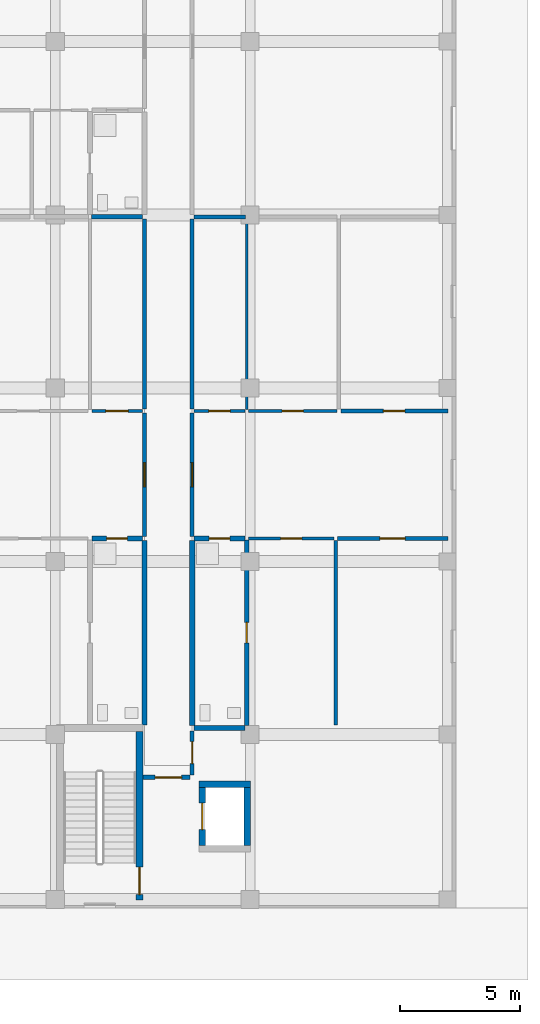
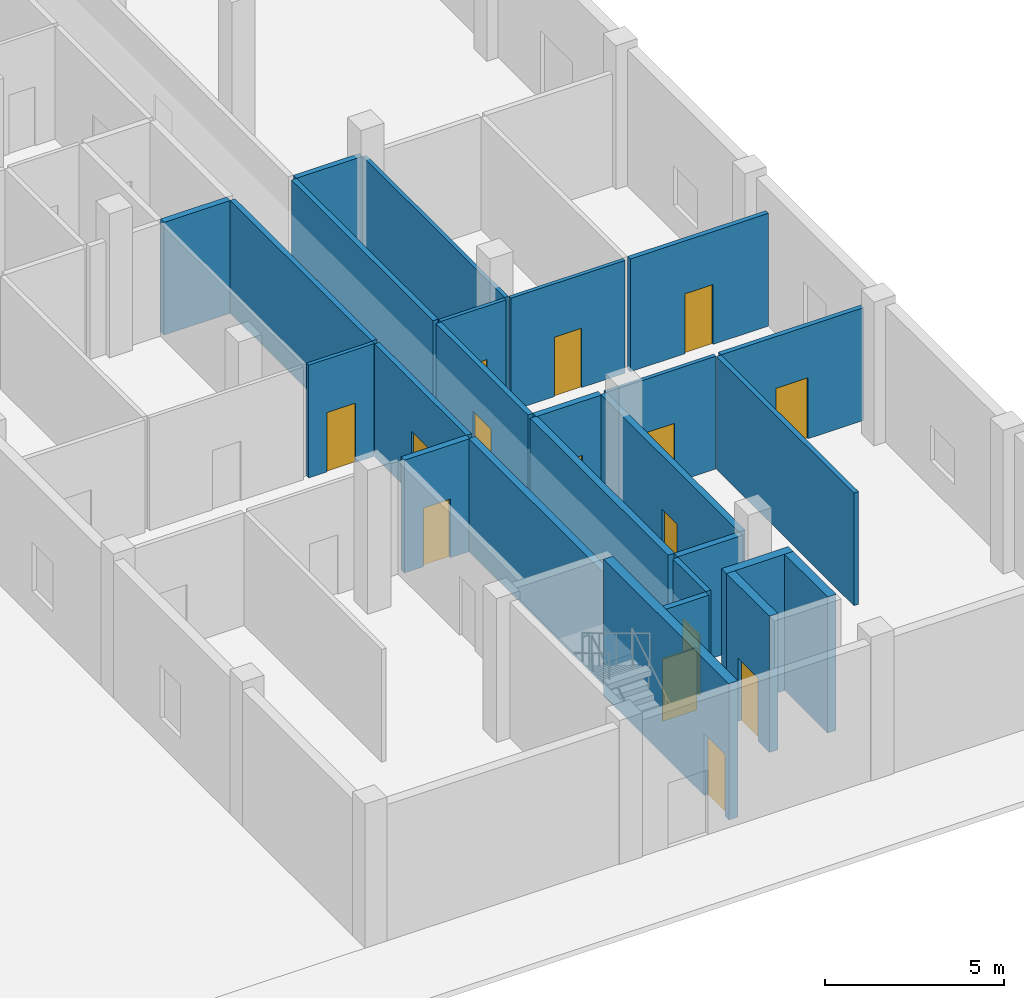
# One storey, part 49 of 85: 26 walls, 15 doors, 15 openings.
"""IFC4 building model written with IfcOpenShell, lengths in metres."""

from ifc_helpers import new_model, si_unit, derived_unit, direction, frame, frame_2d, origin, place, context, subcontext, project, spatial, rectangle, extrude, material, layer, layer_set, type_object, element, fill, save


model = new_model("IFC4")

# Units and contexts
model_context = context("Model", 3, precision=1e-05, world=origin(), true_north=direction((0.0, 1.0)))
body_context = subcontext(model_context, "Body", "Model", "MODEL_VIEW")
ifc_project = project(units=[si_unit("LENGTHUNIT", "METRE"), si_unit("AREAUNIT", "SQUARE_METRE"), si_unit("VOLUMEUNIT", "CUBIC_METRE"), si_unit("PLANEANGLEUNIT", "RADIAN"), si_unit("MASSUNIT", "GRAM", prefix="KILO"), derived_unit("THERMALTRANSMITTANCEUNIT", [(si_unit("MASSUNIT", "GRAM", prefix="KILO"), 1), (si_unit("TIMEUNIT", "SECOND"), -3), (si_unit("THERMODYNAMICTEMPERATUREUNIT", "KELVIN"), -1)])], contexts=[model_context])

# Site, building, storey
site_placement = place(None, origin())
site = spatial("IfcSite", under=ifc_project, at=site_placement, CompositionType="ELEMENT")
building_placement = place(site_placement, origin())
building = spatial("IfcBuilding", under=site, at=building_placement, Name="Ochrekiln Boulevard Commons", CompositionType="ELEMENT")
storey_placement = place(building_placement, origin())
storey = spatial("IfcBuildingStorey", under=building, at=storey_placement, Name="L00", CompositionType="ELEMENT", Elevation=0.0)

# Wall
ifc_material_1 = material(Name="Moisture-resistant cementitious tile backer wall")
ifc_layer_1 = layer(ifc_material_1, 0.199951171875)
ifc_layer_set_1 = layer_set([ifc_layer_1], Name="Moisture-resistant cementitious tile backer wall")
wall_type_1 = type_object("IfcWallType", Name="WL-PLM-200", PredefinedType="PLUMBINGWALL", material=ifc_layer_set_1)
wall_1_placement = place(storey_placement, frame((161.923095703125, 7.47509765625, 0.0), z_axis=(0.0, 0.0, 1.0), x_axis=(1.0, 0.0, 0.0)))
element("IfcWall", 1, at=wall_1_placement, inside=storey, type_object=wall_type_1, Name="L00 Interior Wall W-PW200", PredefinedType="PLUMBINGWALL", context=body_context, shape_type="SweptSolid", body=[
    extrude(rectangle(XDim=2.10693359375, YDim=0.199951171875, at=frame_2d((1.053466796875, 0.0))), origin(), (0.0, 0.0, 1.0), 3.840087890625),
])

# Wall, opening, door
wall_2_placement = place(storey_placement, frame((157.669921875, 15.35009765625, 0.0), z_axis=(0.0, 0.0, 1.0), x_axis=(1.0, 0.0, 0.0)))
wall_2 = element("IfcWall", 2, at=wall_2_placement, inside=storey, type_object=wall_type_1, Name="L00 Interior Wall W-PW200", PredefinedType="PLUMBINGWALL", context=body_context, shape_type="SweptSolid", body=[
    extrude(rectangle(XDim=2.108154296875, YDim=0.199951171875, at=frame_2d((1.05419921875, 0.0))), origin(), (0.0, 0.0, 1.0), 3.840087890625),
])
opening_1_placement = place(wall_2_placement, frame((0.6201171875, 0.0, 0.0)))
opening_1 = element("IfcOpeningElement", 3, at=opening_1_placement, cuts=wall_2, Name="Opening D-L00-059", PredefinedType="OPENING", context=body_context, shape_type="SweptSolid", body=[
    extrude(rectangle(XDim=0.860107421875, YDim=2.0, at=frame_2d((0.43017578125, 1.0))), frame((0.0, 0.10986328125, 0.0), z_axis=(0.0, -1.0, 0.0), x_axis=(1.0, 0.0, 0.0)), (0.0, 0.0, 1.0), 0.219970703125),
])
ifc_material_2 = material(Name="Solid core architectural oak door leaf")
door_type_1 = type_object("IfcDoorType", Name="DR-INT-BTH-086", OperationType="NOTDEFINED", PredefinedType="DOOR", material=ifc_material_2)
door_1_placement = place(opening_1_placement, frame((0.860107421875, 0.0, 0.0), z_axis=(0.0, 0.0, 1.0), x_axis=(-1.0, 0.0, 0.0)))
door_1 = element("IfcDoor", 4, at=door_1_placement, inside=storey, type_object=door_type_1, Name="L00 Interior Door to Accessible Apartment Bathroom", OperationType="SINGLE_SWING_LEFT", OverallHeight=2.0, OverallWidth=0.860107421875, PredefinedType="DOOR", context=body_context, shape_type="SweptSolid", body=[
    extrude(rectangle(XDim=0.860107421875, YDim=2.0, at=frame_2d((0.43017578125, 1.0))), frame((0.0, 0.02490234375, 0.0), z_axis=(0.0, -1.0, 0.0), x_axis=(1.0, 0.0, 0.0)), (0.0, 0.0, 1.0), 0.050048828125),
])
fill(opening_1, door_1)

# Wall
wall_3_placement = place(storey_placement, frame((157.64990234375, 28.719970703125, 0.0), z_axis=(0.0, 0.0, 1.0), x_axis=(1.0, 0.0, 0.0)))
element("IfcWall", 5, at=wall_3_placement, inside=storey, type_object=wall_type_1, Name="L00 Interior Wall W-PW200", PredefinedType="PLUMBINGWALL", context=body_context, shape_type="SweptSolid", body=[
    extrude(rectangle(XDim=2.128173828125, YDim=0.199951171875, at=frame_2d((1.06396484375, 0.0))), origin(), (0.0, 0.0, 1.0), 3.840087890625),
])

# Wall, opening, door
wall_4_placement = place(storey_placement, frame((161.923095703125, 15.35009765625, 0.0), z_axis=(0.0, 0.0, 1.0), x_axis=(1.0, 0.0, 0.0)))
wall_4 = element("IfcWall", 6, at=wall_4_placement, inside=storey, type_object=wall_type_1, Name="L00 Interior Wall W-PW200", PredefinedType="PLUMBINGWALL", context=body_context, shape_type="SweptSolid", body=[
    extrude(rectangle(XDim=2.10693359375, YDim=0.199951171875, at=frame_2d((1.053466796875, 0.0))), origin(), (0.0, 0.0, 1.0), 3.840087890625),
])
opening_2_placement = place(wall_4_placement, frame((0.626953125, 0.0, 0.0)))
opening_2 = element("IfcOpeningElement", 7, at=opening_2_placement, cuts=wall_4, Name="Opening D-L00-073", PredefinedType="OPENING", context=body_context, shape_type="SweptSolid", body=[
    extrude(rectangle(XDim=0.860107421875, YDim=2.0, at=frame_2d((0.43017578125, 1.0))), frame((0.0, 0.10986328125, 0.0), z_axis=(0.0, -1.0, 0.0), x_axis=(1.0, 0.0, 0.0)), (0.0, 0.0, 1.0), 0.219970703125),
])
door_2_placement = place(opening_2_placement, frame((0.860107421875, 0.0, 0.0), z_axis=(0.0, 0.0, 1.0), x_axis=(-1.0, 0.0, 0.0)))
door_2 = element("IfcDoor", 8, at=door_2_placement, inside=storey, type_object=door_type_1, Name="L00 Interior Door to Apartment Bathroom", OperationType="SINGLE_SWING_LEFT", OverallHeight=2.0, OverallWidth=0.860107421875, PredefinedType="DOOR", context=body_context, shape_type="SweptSolid", body=[
    extrude(rectangle(XDim=0.860107421875, YDim=2.0, at=frame_2d((0.43017578125, 1.0))), frame((0.0, 0.02490234375, 0.0), z_axis=(0.0, -1.0, 0.0), x_axis=(1.0, 0.0, 0.0)), (0.0, 0.0, 1.0), 0.050048828125),
])
fill(opening_2, door_2)

wall_5_placement = place(storey_placement, frame((164.110107421875, 7.574951171875, 0.0), z_axis=(0.0, 0.0, 1.0), x_axis=(0.0, 1.0, 0.0)))
wall_5 = element("IfcWall", 9, at=wall_5_placement, inside=storey, type_object=wall_type_1, Name="L00 Interior Wall W-PW200", PredefinedType="PLUMBINGWALL", context=body_context, shape_type="SweptSolid", body=[
    extrude(rectangle(XDim=7.715087890625, YDim=0.199951171875, at=frame_2d((3.857421875, 0.0))), origin(), (0.0, 0.0, 1.0), 3.840087890625),
])
opening_3_placement = place(wall_5_placement, frame((3.43505859375, 0.0, 0.0)))
opening_3 = element("IfcOpeningElement", 10, at=opening_3_placement, cuts=wall_5, Name="Opening D-L00-079", PredefinedType="OPENING", context=body_context, shape_type="SweptSolid", body=[
    extrude(rectangle(XDim=0.85009765625, YDim=2.010009765625, at=frame_2d((0.425048828125, 1.0048828125))), frame((0.0, 0.10986328125, 0.0), z_axis=(0.0, -1.0, 0.0), x_axis=(1.0, 0.0, 0.0)), (0.0, 0.0, 1.0), 0.219970703125),
])
door_type_2 = type_object("IfcDoorType", Name="DR-INT-KIT-085", OperationType="NOTDEFINED", PredefinedType="DOOR", material=ifc_material_2)
door_3_placement = place(opening_3_placement, origin())
door_3 = element("IfcDoor", 11, at=door_3_placement, inside=storey, type_object=door_type_2, Name="L00 Interior Door to Apartment Bathroom", OperationType="SINGLE_SWING_LEFT", OverallHeight=2.010009765625, OverallWidth=0.85009765625, PredefinedType="DOOR", context=body_context, shape_type="SweptSolid", body=[
    extrude(rectangle(XDim=0.85009765625, YDim=2.010009765625, at=frame_2d((0.425048828125, 1.0048828125))), frame((0.0, 0.02490234375, 0.0), z_axis=(0.0, -1.0, 0.0), x_axis=(1.0, 0.0, 0.0)), (0.0, 0.0, 1.0), 0.050048828125),
])
fill(opening_3, door_3)

# Walls
ifc_layer_2 = layer(ifc_material_1, 0.219970703125)
ifc_layer_set_2 = layer_set([ifc_layer_2], Name="Moisture-resistant cementitious tile backer wall")
wall_type_2 = type_object("IfcWallType", Name="WL-PLM-220", PredefinedType="PLUMBINGWALL", material=ifc_layer_set_2)
wall_6_placement = place(storey_placement, frame((159.860107421875, 7.60009765625, 0.0), z_axis=(0.0, 0.0, 1.0), x_axis=(0.0, 1.0, 0.0)))
element("IfcWall", 12, at=wall_6_placement, inside=storey, type_object=wall_type_2, Name="L00 Interior Wall W-PW220", PredefinedType="PLUMBINGWALL", context=body_context, shape_type="SweptSolid", body=[
    extrude(rectangle(XDim=7.669921875, YDim=0.219970703125, at=frame_2d((3.8349609375, 0.0))), origin(), (0.0, 0.0, 1.0), 3.840087890625),
])
wall_7_placement = place(storey_placement, frame((161.840087890625, 7.574951171875, 0.0), z_axis=(0.0, 0.0, 1.0), x_axis=(0.0, 1.0, 0.0)))
element("IfcWall", 13, at=wall_7_placement, inside=storey, type_object=wall_type_2, Name="L00 Interior Wall W-PW220", PredefinedType="PLUMBINGWALL", context=body_context, shape_type="SweptSolid", body=[
    extrude(rectangle(XDim=7.695068359375, YDim=0.219970703125, at=frame_2d((3.84765625, 0.0))), origin(), (0.0, 0.0, 1.0), 3.840087890625),
])
ifc_material_3 = material(Name="Fire-rated Type X gypsum board on steel studs", Category="steel")
ifc_layer_3 = layer(ifc_material_3, 0.169921875)
ifc_layer_set_3 = layer_set([ifc_layer_3], Name="Fire-rated Type X gypsum board on steel studs")
wall_type_3 = type_object("IfcWallType", Name="WL-PT-CIV-170", PredefinedType="PARTITIONING", material=ifc_layer_set_3)
wall_8_placement = place(storey_placement, frame((161.923095703125, 28.719970703125, 0.0), z_axis=(0.0, 0.0, 1.0), x_axis=(1.0, 0.0, 0.0)))
element("IfcWall", 14, at=wall_8_placement, inside=storey, type_object=wall_type_3, Name="L00 Interior Wall W-PV170", PredefinedType="PARTITIONING", context=body_context, shape_type="SweptSolid", body=[
    extrude(rectangle(XDim=2.126953125, YDim=0.169921875, at=frame_2d((1.0634765625, 0.0))), origin(), (0.0, 0.0, 1.0), 3.840087890625),
])

# Wall, opening, door
ifc_layer_4 = layer(ifc_material_3, 0.1650390625)
ifc_layer_set_4 = layer_set([ifc_layer_4], Name="Fire-rated Type X gypsum board on steel studs")
wall_type_4 = type_object("IfcWallType", Name="WL-PT-CORR-165", PredefinedType="PARTITIONING", material=ifc_layer_set_4)
wall_9_placement = place(storey_placement, frame((161.840087890625, 5.514892578125, 0.0), z_axis=(0.0, 0.0, 1.0), x_axis=(0.0, 1.0, 0.0)))
wall_9 = element("IfcWall", 15, at=wall_9_placement, inside=storey, type_object=wall_type_4, Name="L00 Interior Wall W-PC165", PredefinedType="PARTITIONING", context=body_context, shape_type="SweptSolid", body=[
    extrude(rectangle(XDim=1.835205078125, YDim=0.1650390625, at=frame_2d((0.91748046875, 0.0))), origin(), (0.0, 0.0, 1.0), 3.840087890625),
])
opening_4_placement = place(wall_9_placement, frame((0.47509765625, 0.0, 0.0)))
opening_4 = element("IfcOpeningElement", 16, at=opening_4_placement, cuts=wall_9, Name="Opening D-L00-054", PredefinedType="OPENING", context=body_context, shape_type="SweptSolid", body=[
    extrude(rectangle(XDim=0.919921875, YDim=2.0400390625, at=frame_2d((0.4599609375, 1.02001953125))), frame((0.0, 0.092529296875, 0.0), z_axis=(0.0, -1.0, 0.0), x_axis=(1.0, 0.0, 0.0)), (0.0, 0.0, 1.0), 0.18505859375),
])
ifc_material_4 = material(Name="Hollow metal fire-rated steel door assembly", Category="steel")
door_type_3 = type_object("IfcDoorType", Name="DR-SRV-90", OperationType="NOTDEFINED", PredefinedType="DOOR", material=ifc_material_4)
door_4_placement = place(opening_4_placement, frame((0.919921875, 0.0, 0.0), z_axis=(0.0, 0.0, 1.0), x_axis=(-1.0, 0.0, 0.0)))
door_4 = element("IfcDoor", 17, at=door_4_placement, inside=storey, type_object=door_type_3, Name="L00 Interior Door to Hydronic and Electrical Riser Room", OperationType="SINGLE_SWING_RIGHT", OverallHeight=2.0400390625, OverallWidth=0.919921875, PredefinedType="DOOR", context=body_context, shape_type="SweptSolid", body=[
    extrude(rectangle(XDim=0.919921875, YDim=2.0400390625, at=frame_2d((0.4599609375, 1.02001953125))), frame((0.0, 0.02490234375, 0.0), z_axis=(0.0, -1.0, 0.0), x_axis=(1.0, 0.0, 0.0)), (0.0, 0.0, 1.0), 0.050048828125),
])
fill(opening_4, door_4)

wall_10_placement = place(storey_placement, frame((159.860107421875, 15.429931640625, 0.0), z_axis=(0.0, 0.0, 1.0), x_axis=(0.0, 1.0, 0.0)))
wall_10 = element("IfcWall", 18, at=wall_10_placement, inside=storey, type_object=wall_type_4, Name="L00 Interior Wall W-PC165", PredefinedType="PARTITIONING", context=body_context, shape_type="SweptSolid", body=[
    extrude(rectangle(XDim=5.14013671875, YDim=0.1650390625, at=frame_2d((2.570068359375, 0.0))), origin(), (0.0, 0.0, 1.0), 3.840087890625),
])
opening_5_placement = place(wall_10_placement, frame((2.06494140625, 0.0, 0.0)))
opening_5 = element("IfcOpeningElement", 19, at=opening_5_placement, cuts=wall_10, Name="Opening D-L00-055", PredefinedType="OPENING", context=body_context, shape_type="SweptSolid", body=[
    extrude(rectangle(XDim=1.010009765625, YDim=2.110107421875, at=frame_2d((0.5048828125, 1.05517578125))), frame((0.0, 0.092529296875, 0.0), z_axis=(0.0, -1.0, 0.0), x_axis=(1.0, 0.0, 0.0)), (0.0, 0.0, 1.0), 0.18505859375),
])
door_type_4 = type_object("IfcDoorType", Name="DR-INT-APT-101", OperationType="NOTDEFINED", PredefinedType="DOOR", material=ifc_material_2)
door_5_placement = place(opening_5_placement, origin())
door_5 = element("IfcDoor", 20, at=door_5_placement, inside=storey, type_object=door_type_4, Name="L00 Interior Door to Two-Bedroom Apartment Living Room", OperationType="SINGLE_SWING_LEFT", OverallHeight=2.110107421875, OverallWidth=1.010009765625, PredefinedType="DOOR", context=body_context, shape_type="SweptSolid", body=[
    extrude(rectangle(XDim=1.010009765625, YDim=2.110107421875, at=frame_2d((0.5048828125, 1.05517578125))), frame((0.0, 0.02490234375, 0.0), z_axis=(0.0, -1.0, 0.0), x_axis=(1.0, 0.0, 0.0)), (0.0, 0.0, 1.0), 0.050048828125),
])
fill(opening_5, door_5)

# Wall
wall_11_placement = place(storey_placement, frame((159.860107421875, 20.72998046875, 0.0), z_axis=(0.0, 0.0, 1.0), x_axis=(0.0, 1.0, 0.0)))
element("IfcWall", 21, at=wall_11_placement, inside=storey, type_object=wall_type_4, Name="L00 Interior Wall W-PC165", PredefinedType="PARTITIONING", context=body_context, shape_type="SweptSolid", body=[
    extrude(rectangle(XDim=7.89990234375, YDim=0.1650390625, at=frame_2d((3.949951171875, 0.0))), origin(), (0.0, 0.0, 1.0), 3.840087890625),
])

# Wall, opening, door
wall_12_placement = place(storey_placement, frame((161.840087890625, 15.429931640625, 0.0), z_axis=(0.0, 0.0, 1.0), x_axis=(0.0, 1.0, 0.0)))
wall_12 = element("IfcWall", 22, at=wall_12_placement, inside=storey, type_object=wall_type_4, Name="L00 Interior Wall W-PC165", PredefinedType="PARTITIONING", context=body_context, shape_type="SweptSolid", body=[
    extrude(rectangle(XDim=5.14013671875, YDim=0.1650390625, at=frame_2d((2.570068359375, 0.0))), origin(), (0.0, 0.0, 1.0), 3.840087890625),
])
opening_6_placement = place(wall_12_placement, frame((2.06494140625, 0.0, 0.0)))
opening_6 = element("IfcOpeningElement", 23, at=opening_6_placement, cuts=wall_12, Name="Opening D-L00-057", PredefinedType="OPENING", context=body_context, shape_type="SweptSolid", body=[
    extrude(rectangle(XDim=1.010009765625, YDim=2.110107421875, at=frame_2d((0.5048828125, 1.05517578125))), frame((0.0, 0.092529296875, 0.0), z_axis=(0.0, -1.0, 0.0), x_axis=(1.0, 0.0, 0.0)), (0.0, 0.0, 1.0), 0.18505859375),
])
door_6_placement = place(opening_6_placement, frame((1.010009765625, 0.0, 0.0), z_axis=(0.0, 0.0, 1.0), x_axis=(-1.0, 0.0, 0.0)))
door_6 = element("IfcDoor", 24, at=door_6_placement, inside=storey, type_object=door_type_4, Name="L00 Interior Door to Two-Bedroom Apartment Living Room", OperationType="SINGLE_SWING_LEFT", OverallHeight=2.110107421875, OverallWidth=1.010009765625, PredefinedType="DOOR", context=body_context, shape_type="SweptSolid", body=[
    extrude(rectangle(XDim=1.010009765625, YDim=2.110107421875, at=frame_2d((0.5048828125, 1.05517578125))), frame((0.0, 0.02490234375, 0.0), z_axis=(0.0, -1.0, 0.0), x_axis=(1.0, 0.0, 0.0)), (0.0, 0.0, 1.0), 0.050048828125),
])
fill(opening_6, door_6)

# Wall
wall_13_placement = place(storey_placement, frame((161.840087890625, 20.72998046875, 0.0), z_axis=(0.0, 0.0, 1.0), x_axis=(0.0, 1.0, 0.0)))
element("IfcWall", 25, at=wall_13_placement, inside=storey, type_object=wall_type_4, Name="L00 Interior Wall W-PC165", PredefinedType="PARTITIONING", context=body_context, shape_type="SweptSolid", body=[
    extrude(rectangle(XDim=7.89990234375, YDim=0.1650390625, at=frame_2d((3.949951171875, 0.0))), origin(), (0.0, 0.0, 1.0), 3.840087890625),
])

# Wall, opening, door
ifc_layer_5 = layer(ifc_material_3, 0.18994140625)
ifc_layer_set_5 = layer_set([ifc_layer_5], Name="Fire-rated Type X gypsum board on steel studs")
wall_type_5 = type_object("IfcWallType", Name="WL-PT-LBY-190", PredefinedType="PARTITIONING", material=ifc_layer_set_5)
wall_14_placement = place(storey_placement, frame((159.800048828125, 5.419921875, 0.0), z_axis=(0.0, 0.0, 1.0), x_axis=(1.0, 0.0, 0.0)))
wall_14 = element("IfcWall", 26, at=wall_14_placement, inside=storey, type_object=wall_type_5, Name="L00 Interior Wall W-PL190", PredefinedType="PARTITIONING", context=body_context, shape_type="SweptSolid", body=[
    extrude(rectangle(XDim=1.949951171875, YDim=0.18994140625, at=frame_2d((0.97509765625, 0.0))), origin(), (0.0, 0.0, 1.0), 3.840087890625),
])
opening_7_placement = place(wall_14_placement, frame((0.5, 0.0, 0.0)))
opening_7 = element("IfcOpeningElement", 27, at=opening_7_placement, cuts=wall_14, Name="Opening D-L00-052", PredefinedType="OPENING", context=body_context, shape_type="SweptSolid", body=[
    extrude(rectangle(XDim=1.10009765625, YDim=2.1201171875, at=frame_2d((0.550048828125, 1.06005859375))), frame((0.0, 0.10498046875, 0.0), z_axis=(0.0, -1.0, 0.0), x_axis=(1.0, 0.0, 0.0)), (0.0, 0.0, 1.0), 0.2099609375),
])
door_type_5 = type_object("IfcDoorType", Name="DR-LOBBY-60", OperationType="NOTDEFINED", PredefinedType="DOOR", material=ifc_material_4)
door_7_placement = place(opening_7_placement, frame((1.10009765625, 0.0, 0.0), z_axis=(0.0, 0.0, 1.0), x_axis=(-1.0, 0.0, 0.0)))
door_7 = element("IfcDoor", 28, at=door_7_placement, inside=storey, type_object=door_type_5, Name="L00 Interior Door to Passenger Elevator Lobby", OperationType="SINGLE_SWING_RIGHT", OverallHeight=2.1201171875, OverallWidth=1.10009765625, PredefinedType="DOOR", context=body_context, shape_type="SweptSolid", body=[
    extrude(rectangle(XDim=1.10009765625, YDim=2.1201171875, at=frame_2d((0.550048828125, 1.06005859375))), frame((0.0, 0.02490234375, 0.0), z_axis=(0.0, -1.0, 0.0), x_axis=(1.0, 0.0, 0.0)), (0.0, 0.0, 1.0), 0.050048828125),
])
fill(opening_7, door_7)

ifc_layer_6 = layer(ifc_material_3, 0.1201171875)
ifc_layer_set_6 = layer_set([ifc_layer_6], Name="Fire-rated Type X gypsum board on steel studs")
wall_type_6 = type_object("IfcWallType", Name="WL-PT-LGT-120", PredefinedType="PARTITIONING", material=ifc_layer_set_6)
wall_15_placement = place(storey_placement, frame((157.669921875, 20.64990234375, 0.0), z_axis=(0.0, 0.0, 1.0), x_axis=(1.0, 0.0, 0.0)))
wall_15 = element("IfcWall", 29, at=wall_15_placement, inside=storey, type_object=wall_type_6, Name="L00 Interior Wall W-PL120", PredefinedType="PARTITIONING", context=body_context, shape_type="SweptSolid", body=[
    extrude(rectangle(XDim=2.108154296875, YDim=0.1201171875, at=frame_2d((1.05419921875, 0.0))), origin(), (0.0, 0.0, 1.0), 3.840087890625),
])
opening_8_placement = place(wall_15_placement, frame((0.590087890625, 0.0, 0.0)))
opening_8 = element("IfcOpeningElement", 30, at=opening_8_placement, cuts=wall_15, Name="Opening D-L00-060", PredefinedType="OPENING", context=body_context, shape_type="SweptSolid", body=[
    extrude(rectangle(XDim=0.919921875, YDim=2.02001953125, at=frame_2d((0.4599609375, 1.010009765625))), frame((0.0, 0.070068359375, 0.0), z_axis=(0.0, -1.0, 0.0), x_axis=(1.0, 0.0, 0.0)), (0.0, 0.0, 1.0), 0.14013671875),
])
door_type_6 = type_object("IfcDoorType", Name="DR-INT-KIT-092", OperationType="NOTDEFINED", PredefinedType="DOOR", material=ifc_material_2)
door_8_placement = place(opening_8_placement, origin())
door_8 = element("IfcDoor", 31, at=door_8_placement, inside=storey, type_object=door_type_6, Name="L00 Interior Door to Apartment Kitchen", OperationType="SINGLE_SWING_RIGHT", OverallHeight=2.02001953125, OverallWidth=0.919921875, PredefinedType="DOOR", context=body_context, shape_type="SweptSolid", body=[
    extrude(rectangle(XDim=0.919921875, YDim=2.02001953125, at=frame_2d((0.4599609375, 1.010009765625))), frame((0.0, 0.02490234375, 0.0), z_axis=(0.0, -1.0, 0.0), x_axis=(1.0, 0.0, 0.0)), (0.0, 0.0, 1.0), 0.050048828125),
])
fill(opening_8, door_8)

wall_16_placement = place(storey_placement, frame((161.923095703125, 20.64990234375, 0.0), z_axis=(0.0, 0.0, 1.0), x_axis=(1.0, 0.0, 0.0)))
wall_16 = element("IfcWall", 32, at=wall_16_placement, inside=storey, type_object=wall_type_6, Name="L00 Interior Wall W-PL120", PredefinedType="PARTITIONING", context=body_context, shape_type="SweptSolid", body=[
    extrude(rectangle(XDim=2.10693359375, YDim=0.1201171875, at=frame_2d((1.053466796875, 0.0))), origin(), (0.0, 0.0, 1.0), 3.840087890625),
])
opening_9_placement = place(wall_16_placement, frame((0.616943359375, 0.0, 0.0)))
opening_9 = element("IfcOpeningElement", 33, at=opening_9_placement, cuts=wall_16, Name="Opening D-L00-074", PredefinedType="OPENING", context=body_context, shape_type="SweptSolid", body=[
    extrude(rectangle(XDim=0.8798828125, YDim=2.02001953125, at=frame_2d((0.43994140625, 1.010009765625))), frame((0.0, 0.070068359375, 0.0), z_axis=(0.0, -1.0, 0.0), x_axis=(1.0, 0.0, 0.0)), (0.0, 0.0, 1.0), 0.14013671875),
])
door_type_7 = type_object("IfcDoorType", Name="DR-INT-KIT-088", OperationType="NOTDEFINED", PredefinedType="DOOR", material=ifc_material_2)
door_9_placement = place(opening_9_placement, origin())
door_9 = element("IfcDoor", 34, at=door_9_placement, inside=storey, type_object=door_type_7, Name="L00 Interior Door to Apartment Kitchen", OperationType="SINGLE_SWING_RIGHT", OverallHeight=2.02001953125, OverallWidth=0.8798828125, PredefinedType="DOOR", context=body_context, shape_type="SweptSolid", body=[
    extrude(rectangle(XDim=0.8798828125, YDim=2.02001953125, at=frame_2d((0.43994140625, 1.010009765625))), frame((0.0, 0.02490234375, 0.0), z_axis=(0.0, -1.0, 0.0), x_axis=(1.0, 0.0, 0.0)), (0.0, 0.0, 1.0), 0.050048828125),
])
fill(opening_9, door_9)

wall_17_placement = place(storey_placement, frame((164.18994140625, 15.35009765625, 0.0), z_axis=(0.0, 0.0, 1.0), x_axis=(1.0, 0.0, 0.0)))
wall_17 = element("IfcWall", 35, at=wall_17_placement, inside=storey, type_object=wall_type_6, Name="L00 Interior Wall W-PL120", PredefinedType="PARTITIONING", context=body_context, shape_type="SweptSolid", body=[
    extrude(rectangle(XDim=3.537109375, YDim=0.1201171875, at=frame_2d((1.7685546875, 0.0))), origin(), (0.0, 0.0, 1.0), 3.840087890625),
])
opening_10_placement = place(wall_17_placement, frame((1.3291015625, 0.0, 0.0)))
opening_10 = element("IfcOpeningElement", 36, at=opening_10_placement, cuts=wall_17, Name="Opening D-L00-076", PredefinedType="OPENING", context=body_context, shape_type="SweptSolid", body=[
    extrude(rectangle(XDim=0.8798828125, YDim=2.02001953125, at=frame_2d((0.43994140625, 1.010009765625))), frame((0.0, 0.070068359375, 0.0), z_axis=(0.0, -1.0, 0.0), x_axis=(1.0, 0.0, 0.0)), (0.0, 0.0, 1.0), 0.14013671875),
])
door_10_placement = place(opening_10_placement, frame((0.8798828125, 0.0, 0.0), z_axis=(0.0, 0.0, 1.0), x_axis=(-1.0, 0.0, 0.0)))
door_10 = element("IfcDoor", 37, at=door_10_placement, inside=storey, type_object=door_type_7, Name="L00 Interior Door to Apartment Walk-In Wardrobe", OperationType="SINGLE_SWING_RIGHT", OverallHeight=2.02001953125, OverallWidth=0.8798828125, PredefinedType="DOOR", context=body_context, shape_type="SweptSolid", body=[
    extrude(rectangle(XDim=0.8798828125, YDim=2.02001953125, at=frame_2d((0.43994140625, 1.010009765625))), frame((0.0, 0.02490234375, 0.0), z_axis=(0.0, -1.0, 0.0), x_axis=(1.0, 0.0, 0.0)), (0.0, 0.0, 1.0), 0.050048828125),
])
fill(opening_10, door_10)

wall_18_placement = place(storey_placement, frame((164.18994140625, 20.64990234375, 0.0), z_axis=(0.0, 0.0, 1.0), x_axis=(1.0, 0.0, 0.0)))
wall_18 = element("IfcWall", 38, at=wall_18_placement, inside=storey, type_object=wall_type_6, Name="L00 Interior Wall W-PL120", PredefinedType="PARTITIONING", context=body_context, shape_type="SweptSolid", body=[
    extrude(rectangle(XDim=3.670166015625, YDim=0.1201171875, at=frame_2d((1.8349609375, 0.0))), origin(), (0.0, 0.0, 1.0), 3.840087890625),
])
opening_11_placement = place(wall_18_placement, frame((1.39501953125, 0.0, 0.0)))
opening_11 = element("IfcOpeningElement", 39, at=opening_11_placement, cuts=wall_18, Name="Opening D-L00-078", PredefinedType="OPENING", context=body_context, shape_type="SweptSolid", body=[
    extrude(rectangle(XDim=0.8798828125, YDim=2.02001953125, at=frame_2d((0.43994140625, 1.010009765625))), frame((0.0, 0.070068359375, 0.0), z_axis=(0.0, -1.0, 0.0), x_axis=(1.0, 0.0, 0.0)), (0.0, 0.0, 1.0), 0.14013671875),
])
door_11_placement = place(opening_11_placement, origin())
door_11 = element("IfcDoor", 40, at=door_11_placement, inside=storey, type_object=door_type_7, Name="L00 Interior Door to Apartment Walk-In Wardrobe", OperationType="SINGLE_SWING_RIGHT", OverallHeight=2.02001953125, OverallWidth=0.8798828125, PredefinedType="DOOR", context=body_context, shape_type="SweptSolid", body=[
    extrude(rectangle(XDim=0.8798828125, YDim=2.02001953125, at=frame_2d((0.43994140625, 1.010009765625))), frame((0.0, 0.02490234375, 0.0), z_axis=(0.0, -1.0, 0.0), x_axis=(1.0, 0.0, 0.0)), (0.0, 0.0, 1.0), 0.050048828125),
])
fill(opening_11, door_11)

# Wall
wall_19_placement = place(storey_placement, frame((164.110107421875, 20.7099609375, 0.0), z_axis=(0.0, 0.0, 1.0), x_axis=(0.0, 1.0, 0.0)))
element("IfcWall", 41, at=wall_19_placement, inside=storey, type_object=wall_type_6, Name="L00 Interior Wall W-PL120", PredefinedType="PARTITIONING", context=body_context, shape_type="SweptSolid", body=[
    extrude(rectangle(XDim=7.919921875, YDim=0.1201171875, at=frame_2d((3.9599609375, 0.0))), origin(), (0.0, 0.0, 1.0), 3.840087890625),
])

# Wall, opening, door
ifc_layer_7 = layer(ifc_material_3, 0.14990234375)
ifc_layer_set_7 = layer_set([ifc_layer_7], Name="Fire-rated Type X gypsum board on steel studs")
wall_type_7 = type_object("IfcWallType", Name="WL-PT-STD-150", PredefinedType="PARTITIONING", material=ifc_layer_set_7)
wall_20_placement = place(storey_placement, frame((167.886962890625, 15.35009765625, 0.0), z_axis=(0.0, 0.0, 1.0), x_axis=(1.0, 0.0, 0.0)))
wall_20 = element("IfcWall", 42, at=wall_20_placement, inside=storey, type_object=wall_type_7, Name="L00 Interior Wall W-PS150", PredefinedType="PARTITIONING", context=body_context, shape_type="SweptSolid", body=[
    extrude(rectangle(XDim=4.5830078125, YDim=0.14990234375, at=frame_2d((2.29150390625, 0.0))), origin(), (0.0, 0.0, 1.0), 3.840087890625),
])
opening_12_placement = place(wall_20_placement, frame((1.760986328125, 0.0, 0.0)))
opening_12 = element("IfcOpeningElement", 43, at=opening_12_placement, cuts=wall_20, Name="Opening D-L00-075", PredefinedType="OPENING", context=body_context, shape_type="SweptSolid", body=[
    extrude(rectangle(XDim=1.0400390625, YDim=2.080078125, at=frame_2d((0.52001953125, 1.0400390625))), frame((0.0, 0.0849609375, 0.0), z_axis=(0.0, -1.0, 0.0), x_axis=(1.0, 0.0, 0.0)), (0.0, 0.0, 1.0), 0.169921875),
])
door_type_8 = type_object("IfcDoorType", Name="DR-INT-BED-104", OperationType="NOTDEFINED", PredefinedType="DOOR", material=ifc_material_2)
door_12_placement = place(opening_12_placement, frame((1.0400390625, 0.0, 0.0), z_axis=(0.0, 0.0, 1.0), x_axis=(-1.0, 0.0, 0.0)))
door_12 = element("IfcDoor", 44, at=door_12_placement, inside=storey, type_object=door_type_8, Name="L00 Interior Door to Primary Apartment Bedroom", OperationType="SINGLE_SWING_LEFT", OverallHeight=2.080078125, OverallWidth=1.0400390625, PredefinedType="DOOR", context=body_context, shape_type="SweptSolid", body=[
    extrude(rectangle(XDim=1.0400390625, YDim=2.080078125, at=frame_2d((0.52001953125, 1.0400390625))), frame((0.0, 0.02490234375, 0.0), z_axis=(0.0, -1.0, 0.0), x_axis=(1.0, 0.0, 0.0)), (0.0, 0.0, 1.0), 0.050048828125),
])
fill(opening_12, door_12)

wall_21_placement = place(storey_placement, frame((168.02001953125, 20.64990234375, 0.0), z_axis=(0.0, 0.0, 1.0), x_axis=(1.0, 0.0, 0.0)))
wall_21 = element("IfcWall", 45, at=wall_21_placement, inside=storey, type_object=wall_type_7, Name="L00 Interior Wall W-PS150", PredefinedType="PARTITIONING", context=body_context, shape_type="SweptSolid", body=[
    extrude(rectangle(XDim=4.449951171875, YDim=0.14990234375, at=frame_2d((2.22509765625, 0.0))), origin(), (0.0, 0.0, 1.0), 3.840087890625),
])
opening_13_placement = place(wall_21_placement, frame((1.764892578125, 0.0, 0.0)))
opening_13 = element("IfcOpeningElement", 46, at=opening_13_placement, cuts=wall_21, Name="Opening D-L00-077", PredefinedType="OPENING", context=body_context, shape_type="SweptSolid", body=[
    extrude(rectangle(XDim=0.89990234375, YDim=2.0400390625, at=frame_2d((0.449951171875, 1.02001953125))), frame((0.0, 0.0849609375, 0.0), z_axis=(0.0, -1.0, 0.0), x_axis=(1.0, 0.0, 0.0)), (0.0, 0.0, 1.0), 0.169921875),
])
door_type_9 = type_object("IfcDoorType", Name="DR-INT-BED-090", OperationType="NOTDEFINED", PredefinedType="DOOR", material=ifc_material_2)
door_13_placement = place(opening_13_placement, origin())
door_13 = element("IfcDoor", 47, at=door_13_placement, inside=storey, type_object=door_type_9, Name="L00 Interior Door to Secondary Apartment Bedroom", OperationType="SINGLE_SWING_LEFT", OverallHeight=2.0400390625, OverallWidth=0.89990234375, PredefinedType="DOOR", context=body_context, shape_type="SweptSolid", body=[
    extrude(rectangle(XDim=0.89990234375, YDim=2.0400390625, at=frame_2d((0.449951171875, 1.02001953125))), frame((0.0, 0.02490234375, 0.0), z_axis=(0.0, -1.0, 0.0), x_axis=(1.0, 0.0, 0.0)), (0.0, 0.0, 1.0), 0.050048828125),
])
fill(opening_13, door_13)

# Walls
wall_22_placement = place(storey_placement, frame((167.806884765625, 7.60009765625, 0.0), z_axis=(0.0, 0.0, 1.0), x_axis=(0.0, 1.0, 0.0)))
element("IfcWall", 48, at=wall_22_placement, inside=storey, type_object=wall_type_7, Name="L00 Interior Wall W-PS150", PredefinedType="PARTITIONING", context=body_context, shape_type="SweptSolid", body=[
    extrude(rectangle(XDim=7.6748046875, YDim=0.14990234375, at=frame_2d((3.83740234375, 0.0))), origin(), (0.0, 0.0, 1.0), 3.840087890625),
])
ifc_material_5 = material(Name="Concrete C40/50", Category="concrete")
ifc_layer_8 = layer(ifc_material_5, 0.27490234375)
ifc_layer_set_8 = layer_set([ifc_layer_8], Name="Concrete C40/50")
wall_type_8 = type_object("IfcWallType", Name="WL-SH-275", PredefinedType="SHEAR", material=ifc_layer_set_8)
wall_23_placement = place(storey_placement, frame((162.125, 5.137451171875, 0.0), z_axis=(0.0, 0.0, 1.0), x_axis=(1.0, 0.0, 0.0)))
element("IfcWall", 49, at=wall_23_placement, inside=storey, type_object=wall_type_8, Name="Elevator LP-C1 L00 Hoistway Shear Wall", PredefinedType="SHEAR", context=body_context, shape_type="SweptSolid", body=[
    extrude(rectangle(XDim=2.14990234375, YDim=0.27490234375, at=frame_2d((1.074951171875, 0.0))), origin(), (0.0, 0.0, 1.0), 4.639892578125),
])

# Wall, opening, door
wall_24_placement = place(storey_placement, frame((162.262451171875, 2.60009765625, 0.0), z_axis=(0.0, 0.0, 1.0), x_axis=(0.0, 1.0, 0.0)))
wall_24 = element("IfcWall", 50, at=wall_24_placement, inside=storey, type_object=wall_type_8, Name="Elevator LP-C1 L00 Hoistway Shear Wall", PredefinedType="SHEAR", context=body_context, shape_type="SweptSolid", body=[
    extrude(rectangle(XDim=2.39990234375, YDim=0.27490234375, at=frame_2d((1.199951171875, 0.0))), origin(), (0.0, 0.0, 1.0), 4.639892578125),
])
opening_14_placement = place(wall_24_placement, frame((0.64990234375, 0.0, 0.0)))
opening_14 = element("IfcOpeningElement", 51, at=opening_14_placement, cuts=wall_24, Name="Opening LD-LP-C1-L00", PredefinedType="OPENING", context=body_context, shape_type="SweptSolid", body=[
    extrude(rectangle(XDim=1.10009765625, YDim=2.14990234375, at=frame_2d((0.550048828125, 1.074951171875))), frame((0.0, 0.1474609375, 0.0), z_axis=(0.0, -1.0, 0.0), x_axis=(1.0, 0.0, 0.0)), (0.0, 0.0, 1.0), 0.294921875),
])
ifc_material_6 = material(Name="Brushed stainless steel 316 elevator cab and doors", Category="steel")
door_type_10 = type_object("IfcDoorType", Name="DR-LIFT-LD90", OperationType="SLIDING_TO_LEFT", PredefinedType="DOOR", material=ifc_material_6)
door_14_placement = place(opening_14_placement, origin())
door_14 = element("IfcDoor", 52, at=door_14_placement, inside=storey, type_object=door_type_10, Name="Elevator LP-C1 L00 Sliding Landing Door LD-LP-C1-L00", OperationType="SLIDING_TO_LEFT", OverallHeight=2.14990234375, OverallWidth=1.10009765625, PredefinedType="DOOR", context=body_context, shape_type="SweptSolid", body=[
    extrude(rectangle(XDim=1.10009765625, YDim=2.14990234375, at=frame_2d((0.550048828125, 1.074951171875))), frame((0.0, 0.02490234375, 0.0), z_axis=(0.0, -1.0, 0.0), x_axis=(1.0, 0.0, 0.0)), (0.0, 0.0, 1.0), 0.050048828125),
])
fill(opening_14, door_14)

# Wall
wall_25_placement = place(storey_placement, frame((164.137451171875, 2.60009765625, 0.0), z_axis=(0.0, 0.0, 1.0), x_axis=(0.0, 1.0, 0.0)))
element("IfcWall", 53, at=wall_25_placement, inside=storey, type_object=wall_type_8, Name="Elevator LP-C1 L00 Hoistway Shear Wall", PredefinedType="SHEAR", context=body_context, shape_type="SweptSolid", body=[
    extrude(rectangle(XDim=2.39990234375, YDim=0.27490234375, at=frame_2d((1.199951171875, 0.0))), origin(), (0.0, 0.0, 1.0), 4.639892578125),
])

# Wall, opening, door
ifc_layer_9 = layer(ifc_material_5, 0.300048828125)
ifc_layer_set_9 = layer_set([ifc_layer_9], Name="Concrete C40/50")
wall_type_9 = type_object("IfcWallType", Name="WL-SH-300", PredefinedType="SHEAR", material=ifc_layer_set_9)
wall_26_placement = place(storey_placement, frame((159.64990234375, 0.320068359375, 0.0), z_axis=(0.0, 0.0, 1.0), x_axis=(0.0, 1.0, 0.0)))
wall_26 = element("IfcWall", 54, at=wall_26_placement, inside=storey, type_object=wall_type_9, Name="Stair ST-C1 L00 Core Shear Wall E", PredefinedType="SHEAR", context=body_context, shape_type="SweptSolid", body=[
    extrude(rectangle(XDim=7.0, YDim=0.300048828125, at=frame_2d((3.5, 0.0))), origin(), (0.0, 0.0, 1.0), 4.639892578125),
])
opening_15_placement = place(wall_26_placement, frame((0.22509765625, 0.0, 0.0)))
opening_15 = element("IfcOpeningElement", 55, at=opening_15_placement, cuts=wall_26, Name="Opening D-L00-ST-C1", PredefinedType="OPENING", context=body_context, shape_type="SweptSolid", body=[
    extrude(rectangle(XDim=1.14990234375, YDim=2.1201171875, at=frame_2d((0.574951171875, 1.06005859375))), frame((0.0, 0.159912109375, 0.0), z_axis=(0.0, -1.0, 0.0), x_axis=(1.0, 0.0, 0.0)), (0.0, 0.0, 1.0), 0.320068359375),
])
door_type_11 = type_object("IfcDoorType", Name="DR-STAIR-90", OperationType="NOTDEFINED", PredefinedType="DOOR", material=ifc_material_4)
door_15_placement = place(opening_15_placement, origin())
door_15 = element("IfcDoor", 56, at=door_15_placement, inside=storey, type_object=door_type_11, Name="Enclosed Exit Stair ST-C1 L00 Rated Door", OperationType="SINGLE_SWING_RIGHT", OverallHeight=2.1201171875, OverallWidth=1.14990234375, PredefinedType="DOOR", context=body_context, shape_type="SweptSolid", body=[
    extrude(rectangle(XDim=1.14990234375, YDim=2.1201171875, at=frame_2d((0.574951171875, 1.06005859375))), frame((0.0, 0.02490234375, 0.0), z_axis=(0.0, -1.0, 0.0), x_axis=(1.0, 0.0, 0.0)), (0.0, 0.0, 1.0), 0.050048828125),
])
fill(opening_15, door_15)

save(model, "model.ifc")
